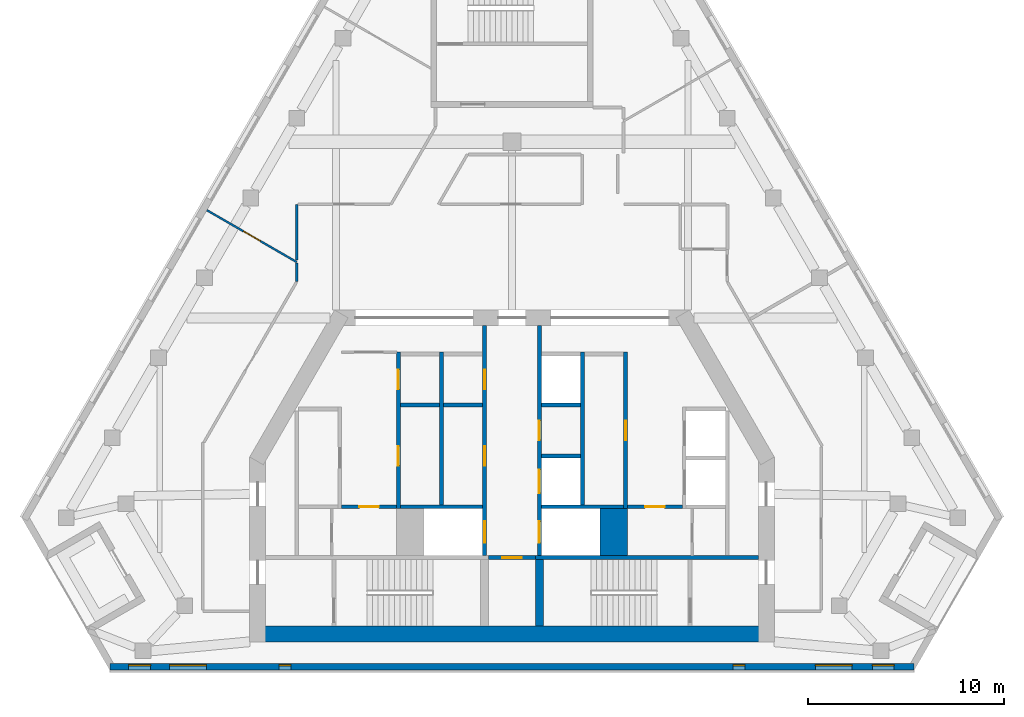
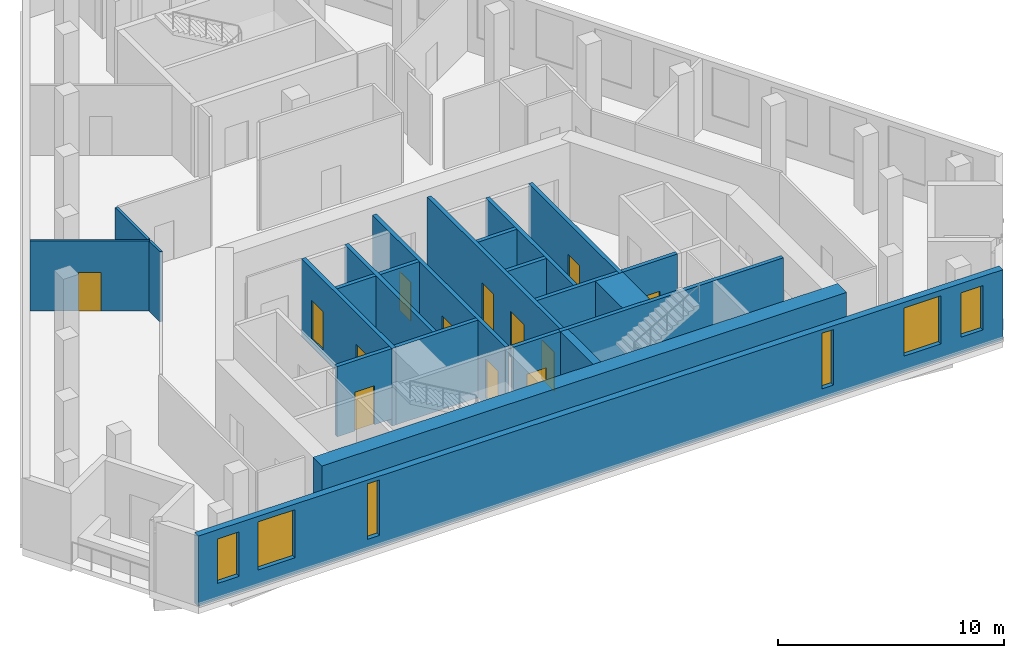
# One storey, part 3 of 8: 23 walls, 13 doors, 6 windows, 19 openings.
"""IFC4 building model written with IfcOpenShell, lengths in metres."""

from ifc_helpers import new_model, si_unit, direction, frame, frame_2d, origin, place, context, subcontext, project, spatial, rectangle, extrude, material, layer, layer_set, type_object, element, fill, save


model = new_model("IFC4")

# Units and contexts
model_context = context("Model", 3, precision=1e-05, world=origin(), true_north=direction((0.0, 1.0)))
body_context = subcontext(model_context, "Body", "Model", "MODEL_VIEW")
ifc_project = project(units=[si_unit("LENGTHUNIT", "METRE"), si_unit("AREAUNIT", "SQUARE_METRE"), si_unit("VOLUMEUNIT", "CUBIC_METRE"), si_unit("PLANEANGLEUNIT", "RADIAN"), si_unit("MASSUNIT", "GRAM", prefix="KILO")], contexts=[model_context])

# Site, building, storey
site_placement = place(None, origin())
site = spatial("IfcSite", under=ifc_project, at=site_placement, CompositionType="ELEMENT")
building_placement = place(site_placement, origin())
building = spatial("IfcBuilding", under=site, at=building_placement, Name="Fogline Exchange Tower", CompositionType="ELEMENT")
storey_placement = place(building_placement, frame((0.0, 0.0, 296.10009765625)))
storey = spatial("IfcBuildingStorey", under=building, at=storey_placement, Name="L67", CompositionType="ELEMENT", Elevation=296.10009765625)

# Walls
ifc_material_1 = material(Name="Concrete C60", Category="concrete")
ifc_layer_1 = layer(ifc_material_1, 1.39990234375)
ifc_layer_set_1 = layer_set([ifc_layer_1], Name="CW140")
wall_type_1 = type_object("IfcWallType", Name="CW140", PredefinedType="SOLIDWALL", material=ifc_layer_set_1)
wall_1_placement = place(storey_placement, frame((5.199951171875, 5.85009765625, -0.400146484375), z_axis=(0.0, 0.0, 1.0), x_axis=(0.0, 1.0, 0.0)))
element("IfcWall", 1, at=wall_1_placement, inside=storey, type_object=wall_type_1, Name="Lift shaft block wall", PredefinedType="SOLIDWALL", context=body_context, shape_type="SweptSolid", body=[
    extrude(rectangle(XDim=2.39990234375, YDim=1.39990234375, at=frame_2d((1.199951171875, 0.0))), origin(), (0.0, 0.0, 1.0), 4.199951171875),
])
ifc_material_2 = material(Name="Concrete C40", Category="concrete")
ifc_layer_2 = layer(ifc_material_2, 0.199951171875)
ifc_layer_set_2 = layer_set([ifc_layer_2], Name="CW20")
wall_type_2 = type_object("IfcWallType", Name="CW20", PredefinedType="SOLIDWALL", material=ifc_layer_set_2)
for number, where, z_axis, x_axis, name in (
    (2, (-5.699951171875, 13.550048828125, 0.0), (0.0, 0.0, 1.0), (1.0, 0.0, 0.0), "Service room wall"),
    (3, (-3.5, 13.550048828125, 0.0), (0.0, 0.0, 1.0), (1.0, 0.0, 0.0), "Service room wall"),
):
    element("IfcWall", number, at=place(storey_placement, frame(where, z_axis=z_axis, x_axis=x_axis)), inside=storey, type_object=wall_type_2, Name=name, PredefinedType="SOLIDWALL", context=body_context, shape_type="SweptSolid", body=[
        extrude(rectangle(XDim=2.0, YDim=0.199951171875, at=frame_2d((1.0, 0.0))), origin(), (0.0, 0.0, 1.0), 3.7998046875),
    ])

# Wall, opening, door
wall_2_placement = place(storey_placement, frame((-8.699951171875, 8.35009765625, 0.0), z_axis=(0.0, 0.0, 1.0), x_axis=(1.0, 0.0, 0.0)))
wall_2 = element("IfcWall", 4, at=wall_2_placement, inside=storey, type_object=wall_type_2, Name="WC wall", PredefinedType="SOLIDWALL", context=body_context, shape_type="SweptSolid", body=[
    extrude(rectangle(XDim=2.800048828125, YDim=0.199951171875, at=frame_2d((1.39990234375, 0.0))), origin(), (0.0, 0.0, 1.0), 3.7998046875),
])
opening_1_placement = place(wall_2_placement, frame((0.89990234375, 0.0, 0.0)))
opening_1 = element("IfcOpeningElement", 5, at=opening_1_placement, cuts=wall_2, Name="Opening T21-C010", PredefinedType="OPENING", context=body_context, shape_type="SweptSolid", body=[
    extrude(rectangle(XDim=1.0, YDim=2.10009765625, at=frame_2d((0.5, 1.050048828125))), frame((0.0, 0.10986328125, 0.0), z_axis=(0.0, -1.0, 0.0), x_axis=(1.0, 0.0, 0.0)), (0.0, 0.0, 1.0), 0.219970703125),
])
ifc_material_3 = material(Name="Steel and timber fire door", Category="steel")
door_type_1 = type_object("IfcDoorType", Name="D-WC1", OperationType="SINGLE_SWING_LEFT", PredefinedType="DOOR", material=ifc_material_3)
door_1_placement = place(opening_1_placement, frame((1.0, 0.0, 0.0), z_axis=(0.0, 0.0, 1.0), x_axis=(-1.0, 0.0, 0.0)))
door_1 = element("IfcDoor", 6, at=door_1_placement, inside=storey, type_object=door_type_1, Name="Door to Men's WC", OperationType="SINGLE_SWING_LEFT", OverallHeight=2.10009765625, OverallWidth=1.0, PredefinedType="DOOR", context=body_context, shape_type="SweptSolid", body=[
    extrude(rectangle(XDim=1.0, YDim=2.10009765625, at=frame_2d((0.5, 1.050048828125))), frame((0.0, 0.02490234375, 0.0), z_axis=(0.0, -1.0, 0.0), x_axis=(1.0, 0.0, 0.0)), (0.0, 0.0, 1.0), 0.050048828125),
])
fill(opening_1, door_1)

wall_3_placement = place(storey_placement, frame((5.89990234375, 8.35009765625, 0.0), z_axis=(0.0, 0.0, 1.0), x_axis=(1.0, 0.0, 0.0)))
wall_3 = element("IfcWall", 7, at=wall_3_placement, inside=storey, type_object=wall_type_2, Name="WC wall", PredefinedType="SOLIDWALL", context=body_context, shape_type="SweptSolid", body=[
    extrude(rectangle(XDim=2.800048828125, YDim=0.199951171875, at=frame_2d((1.39990234375, 0.0))), origin(), (0.0, 0.0, 1.0), 3.7998046875),
])
opening_2_placement = place(wall_3_placement, frame((0.89990234375, 0.0, 0.0)))
opening_2 = element("IfcOpeningElement", 8, at=opening_2_placement, cuts=wall_3, Name="Opening T21-C015", PredefinedType="OPENING", context=body_context, shape_type="SweptSolid", body=[
    extrude(rectangle(XDim=1.0, YDim=2.10009765625, at=frame_2d((0.5, 1.050048828125))), frame((0.0, 0.10986328125, 0.0), z_axis=(0.0, -1.0, 0.0), x_axis=(1.0, 0.0, 0.0)), (0.0, 0.0, 1.0), 0.219970703125),
])
door_2_placement = place(opening_2_placement, frame((1.0, 0.0, 0.0), z_axis=(0.0, 0.0, 1.0), x_axis=(-1.0, 0.0, 0.0)))
door_2 = element("IfcDoor", 9, at=door_2_placement, inside=storey, type_object=door_type_1, Name="Door to Women's WC", OperationType="SINGLE_SWING_LEFT", OverallHeight=2.10009765625, OverallWidth=1.0, PredefinedType="DOOR", context=body_context, shape_type="SweptSolid", body=[
    extrude(rectangle(XDim=1.0, YDim=2.10009765625, at=frame_2d((0.5, 1.050048828125))), frame((0.0, 0.02490234375, 0.0), z_axis=(0.0, -1.0, 0.0), x_axis=(1.0, 0.0, 0.0)), (0.0, 0.0, 1.0), 0.050048828125),
])
fill(opening_2, door_2)

ifc_layer_3 = layer(ifc_material_2, 0.199951171875)
ifc_layer_set_3 = layer_set([ifc_layer_3], Name="CW20R")
wall_type_3 = type_object("IfcWallType", Name="CW20R", PredefinedType="SOLIDWALL", material=ifc_layer_set_3)
wall_4_placement = place(storey_placement, frame((-1.199951171875, 5.75, -0.400146484375), z_axis=(0.0, 0.0, 1.0), x_axis=(1.0, 0.0, 0.0)))
wall_4 = element("IfcWall", 10, at=wall_4_placement, inside=storey, type_object=wall_type_3, Name="Stair enclosure wall", PredefinedType="SOLIDWALL", context=body_context, shape_type="SweptSolid", body=[
    extrude(rectangle(XDim=2.39990234375, YDim=0.199951171875, at=frame_2d((1.199951171875, 0.0))), origin(), (0.0, 0.0, 1.0), 4.199951171875),
])
opening_3_placement = place(wall_4_placement, frame((0.699951171875, 0.0, 0.39990234375)))
opening_3 = element("IfcOpeningElement", 11, at=opening_3_placement, cuts=wall_4, Name="Opening T21-C008", PredefinedType="OPENING", context=body_context, shape_type="SweptSolid", body=[
    extrude(rectangle(XDim=1.0, YDim=2.10009765625, at=frame_2d((0.5, 1.050048828125))), frame((0.0, 0.10986328125, 0.0), z_axis=(0.0, -1.0, 0.0), x_axis=(1.0, 0.0, 0.0)), (0.0, 0.0, 1.0), 0.219970703125),
])
door_type_2 = type_object("IfcDoorType", Name="D-RM1", OperationType="SINGLE_SWING_LEFT", PredefinedType="DOOR", material=ifc_material_3)
door_3_placement = place(opening_3_placement, frame((1.0, 0.0, 0.0), z_axis=(0.0, 0.0, 1.0), x_axis=(-1.0, 0.0, 0.0)))
door_3 = element("IfcDoor", 12, at=door_3_placement, inside=storey, type_object=door_type_2, Name="Door to Stationery Store", OperationType="SINGLE_SWING_RIGHT", OverallHeight=2.10009765625, OverallWidth=1.0, PredefinedType="DOOR", context=body_context, shape_type="SweptSolid", body=[
    extrude(rectangle(XDim=1.0, YDim=2.10009765625, at=frame_2d((0.5, 1.050048828125))), frame((0.0, 0.02490234375, 0.0), z_axis=(0.0, -1.0, 0.0), x_axis=(1.0, 0.0, 0.0)), (0.0, 0.0, 1.0), 0.050048828125),
])
fill(opening_3, door_3)

# Wall
wall_5_placement = place(storey_placement, frame((1.199951171875, 5.75, -0.400146484375), z_axis=(0.0, 0.0, 1.0), x_axis=(1.0, 0.0, 0.0)))
element("IfcWall", 13, at=wall_5_placement, inside=storey, type_object=wall_type_3, Name="Stair enclosure wall", PredefinedType="SOLIDWALL", context=body_context, shape_type="SweptSolid", body=[
    extrude(rectangle(XDim=11.400146484375, YDim=0.199951171875, at=frame_2d((5.7001953125, 0.0))), origin(), (0.0, 0.0, 1.0), 4.199951171875),
])

# Wall, openings, doors
ifc_layer_4 = layer(ifc_material_2, 0.199951171875)
ifc_layer_set_4 = layer_set([ifc_layer_4], Name="CW20S")
wall_type_4 = type_object("IfcWallType", Name="CW20S", PredefinedType="SOLIDWALL", material=ifc_layer_set_4)
wall_6_placement = place(storey_placement, frame((-5.800048828125, 8.25, -0.400146484375), z_axis=(0.0, 0.0, 1.0), x_axis=(0.0, 1.0, 0.0)))
wall_6 = element("IfcWall", 14, at=wall_6_placement, inside=storey, type_object=wall_type_4, Name="Lift shaft wall", PredefinedType="SOLIDWALL", context=body_context, shape_type="SweptSolid", body=[
    extrude(rectangle(XDim=8.0, YDim=0.199951171875, at=frame_2d((4.0, 0.0))), origin(), (0.0, 0.0, 1.0), 4.199951171875),
])
opening_4_placement = place(wall_6_placement, frame((2.199951171875, 0.0, 0.39990234375)))
opening_4 = element("IfcOpeningElement", 15, at=opening_4_placement, cuts=wall_6, Name="Opening T21-C002", PredefinedType="OPENING", context=body_context, shape_type="SweptSolid", body=[
    extrude(rectangle(XDim=1.0, YDim=2.10009765625, at=frame_2d((0.5, 1.050048828125))), frame((0.0, 0.10986328125, 0.0), z_axis=(0.0, -1.0, 0.0), x_axis=(1.0, 0.0, 0.0)), (0.0, 0.0, 1.0), 0.219970703125),
])
opening_5_placement = place(wall_6_placement, frame((6.10009765625, 0.0, 0.39990234375)))
opening_5 = element("IfcOpeningElement", 16, at=opening_5_placement, cuts=wall_6, Name="Opening T21-C003", PredefinedType="OPENING", context=body_context, shape_type="SweptSolid", body=[
    extrude(rectangle(XDim=1.0, YDim=2.10009765625, at=frame_2d((0.5, 1.050048828125))), frame((0.0, 0.10986328125, 0.0), z_axis=(0.0, -1.0, 0.0), x_axis=(1.0, 0.0, 0.0)), (0.0, 0.0, 1.0), 0.219970703125),
])
door_4_placement = place(opening_4_placement, frame((1.0, 0.0, 0.0), z_axis=(0.0, 0.0, 1.0), x_axis=(-1.0, 0.0, 0.0)))
door_4 = element("IfcDoor", 17, at=door_4_placement, inside=storey, type_object=door_type_2, Name="Door to Equipment Room", OperationType="SINGLE_SWING_LEFT", OverallHeight=2.10009765625, OverallWidth=1.0, PredefinedType="DOOR", context=body_context, shape_type="SweptSolid", body=[
    extrude(rectangle(XDim=1.0, YDim=2.10009765625, at=frame_2d((0.5, 1.050048828125))), frame((0.0, 0.02490234375, 0.0), z_axis=(0.0, -1.0, 0.0), x_axis=(1.0, 0.0, 0.0)), (0.0, 0.0, 1.0), 0.050048828125),
])
fill(opening_4, door_4)
door_5_placement = place(opening_5_placement, frame((1.0, 0.0, 0.0), z_axis=(0.0, 0.0, 1.0), x_axis=(-1.0, 0.0, 0.0)))
door_5 = element("IfcDoor", 18, at=door_5_placement, inside=storey, type_object=door_type_2, Name="Door to Server Room", OperationType="SINGLE_SWING_RIGHT", OverallHeight=2.10009765625, OverallWidth=1.0, PredefinedType="DOOR", context=body_context, shape_type="SweptSolid", body=[
    extrude(rectangle(XDim=1.0, YDim=2.10009765625, at=frame_2d((0.5, 1.050048828125))), frame((0.0, 0.02490234375, 0.0), z_axis=(0.0, -1.0, 0.0), x_axis=(1.0, 0.0, 0.0)), (0.0, 0.0, 1.0), 0.050048828125),
])
fill(opening_5, door_5)

# Wall, opening, door
wall_7_placement = place(storey_placement, frame((5.800048828125, 8.25, -0.400146484375), z_axis=(0.0, 0.0, 1.0), x_axis=(0.0, 1.0, 0.0)))
wall_7 = element("IfcWall", 19, at=wall_7_placement, inside=storey, type_object=wall_type_4, Name="Lift shaft wall", PredefinedType="SOLIDWALL", context=body_context, shape_type="SweptSolid", body=[
    extrude(rectangle(XDim=8.0, YDim=0.199951171875, at=frame_2d((4.0, 0.0))), origin(), (0.0, 0.0, 1.0), 4.199951171875),
])
opening_6_placement = place(wall_7_placement, frame((3.5, 0.0, 0.39990234375)))
opening_6 = element("IfcOpeningElement", 20, at=opening_6_placement, cuts=wall_7, Name="Opening T21-C006", PredefinedType="OPENING", context=body_context, shape_type="SweptSolid", body=[
    extrude(rectangle(XDim=1.0, YDim=2.10009765625, at=frame_2d((0.5, 1.050048828125))), frame((0.0, 0.10986328125, 0.0), z_axis=(0.0, -1.0, 0.0), x_axis=(1.0, 0.0, 0.0)), (0.0, 0.0, 1.0), 0.219970703125),
])
door_6_placement = place(opening_6_placement, origin())
door_6 = element("IfcDoor", 21, at=door_6_placement, inside=storey, type_object=door_type_2, Name="Door to Trading Desk Annexe", OperationType="SINGLE_SWING_LEFT", OverallHeight=2.10009765625, OverallWidth=1.0, PredefinedType="DOOR", context=body_context, shape_type="SweptSolid", body=[
    extrude(rectangle(XDim=1.0, YDim=2.10009765625, at=frame_2d((0.5, 1.050048828125))), frame((0.0, 0.02490234375, 0.0), z_axis=(0.0, -1.0, 0.0), x_axis=(1.0, 0.0, 0.0)), (0.0, 0.0, 1.0), 0.050048828125),
])
fill(opening_6, door_6)

# Walls
for number, where, z_axis, x_axis, name in (
    (22, (-3.60009765625, 8.449951171875, -0.400146484375), (0.0, 0.0, 1.0), (0.0, 1.0, 0.0), "Lift shaft wall"),
    (23, (3.60009765625, 8.449951171875, -0.400146484375), (0.0, 0.0, 1.0), (0.0, 1.0, 0.0), "Lift shaft wall"),
):
    element("IfcWall", number, at=place(storey_placement, frame(where, z_axis=z_axis, x_axis=x_axis)), inside=storey, type_object=wall_type_4, Name=name, PredefinedType="SOLIDWALL", context=body_context, shape_type="SweptSolid", body=[
        extrude(rectangle(XDim=7.800048828125, YDim=0.199951171875, at=frame_2d((3.89990234375, 0.0))), origin(), (0.0, 0.0, 1.0), 4.199951171875),
    ])

# Wall, openings, doors
wall_8_placement = place(storey_placement, frame((-1.39990234375, 5.85009765625, -0.400146484375), z_axis=(0.0, 0.0, 1.0), x_axis=(0.0, 1.0, 0.0)))
wall_8 = element("IfcWall", 24, at=wall_8_placement, inside=storey, type_object=wall_type_4, Name="Lift lobby wall", PredefinedType="SOLIDWALL", context=body_context, shape_type="SweptSolid", body=[
    extrude(rectangle(XDim=11.75, YDim=0.199951171875, at=frame_2d((5.875, 0.0))), origin(), (0.0, 0.0, 1.0), 4.199951171875),
])
opening_7_placement = place(wall_8_placement, frame((0.64990234375, 0.0, 0.39990234375)))
opening_7 = element("IfcOpeningElement", 25, at=opening_7_placement, cuts=wall_8, Name="Opening T21-LD01", PredefinedType="OPENING", context=body_context, shape_type="SweptSolid", body=[
    extrude(rectangle(XDim=1.10009765625, YDim=2.10009765625, at=frame_2d((0.550048828125, 1.050048828125))), frame((0.0, 0.10986328125, 0.0), z_axis=(0.0, -1.0, 0.0), x_axis=(1.0, 0.0, 0.0)), (0.0, 0.0, 1.0), 0.219970703125),
])
opening_8_placement = place(wall_8_placement, frame((4.60009765625, 0.0, 0.39990234375)))
opening_8 = element("IfcOpeningElement", 26, at=opening_8_placement, cuts=wall_8, Name="Opening T21-C004", PredefinedType="OPENING", context=body_context, shape_type="SweptSolid", body=[
    extrude(rectangle(XDim=1.0, YDim=2.10009765625, at=frame_2d((0.5, 1.050048828125))), frame((0.0, 0.10986328125, 0.0), z_axis=(0.0, -1.0, 0.0), x_axis=(1.0, 0.0, 0.0)), (0.0, 0.0, 1.0), 0.219970703125),
])
opening_9_placement = place(wall_8_placement, frame((8.5, 0.0, 0.39990234375)))
opening_9 = element("IfcOpeningElement", 27, at=opening_9_placement, cuts=wall_8, Name="Opening T21-C005", PredefinedType="OPENING", context=body_context, shape_type="SweptSolid", body=[
    extrude(rectangle(XDim=1.0, YDim=2.10009765625, at=frame_2d((0.5, 1.050048828125))), frame((0.0, 0.10986328125, 0.0), z_axis=(0.0, -1.0, 0.0), x_axis=(1.0, 0.0, 0.0)), (0.0, 0.0, 1.0), 0.219970703125),
])
door_7_placement = place(opening_8_placement, origin())
door_7 = element("IfcDoor", 28, at=door_7_placement, inside=storey, type_object=door_type_2, Name="Door to Library Store", OperationType="SINGLE_SWING_LEFT", OverallHeight=2.10009765625, OverallWidth=1.0, PredefinedType="DOOR", context=body_context, shape_type="SweptSolid", body=[
    extrude(rectangle(XDim=1.0, YDim=2.10009765625, at=frame_2d((0.5, 1.050048828125))), frame((0.0, 0.02490234375, 0.0), z_axis=(0.0, -1.0, 0.0), x_axis=(1.0, 0.0, 0.0)), (0.0, 0.0, 1.0), 0.050048828125),
])
fill(opening_8, door_7)
door_8_placement = place(opening_9_placement, origin())
door_8 = element("IfcDoor", 29, at=door_8_placement, inside=storey, type_object=door_type_2, Name="Door to Library Store", OperationType="SINGLE_SWING_LEFT", OverallHeight=2.10009765625, OverallWidth=1.0, PredefinedType="DOOR", context=body_context, shape_type="SweptSolid", body=[
    extrude(rectangle(XDim=1.0, YDim=2.10009765625, at=frame_2d((0.5, 1.050048828125))), frame((0.0, 0.02490234375, 0.0), z_axis=(0.0, -1.0, 0.0), x_axis=(1.0, 0.0, 0.0)), (0.0, 0.0, 1.0), 0.050048828125),
])
fill(opening_9, door_8)
door_type_3 = type_object("IfcDoorType", Name="LD2", OperationType="SLIDING_TO_RIGHT", PredefinedType="DOOR", material=ifc_material_3)
door_9_placement = place(opening_7_placement, origin())
door_9 = element("IfcDoor", 30, at=door_9_placement, inside=storey, type_object=door_type_3, Name="Landing door FF1", OperationType="SLIDING_TO_RIGHT", OverallHeight=2.10009765625, OverallWidth=1.10009765625, PredefinedType="DOOR", context=body_context, shape_type="SweptSolid", body=[
    extrude(rectangle(XDim=1.10009765625, YDim=2.10009765625, at=frame_2d((0.550048828125, 1.050048828125))), frame((0.0, 0.02490234375, 0.0), z_axis=(0.0, -1.0, 0.0), x_axis=(1.0, 0.0, 0.0)), (0.0, 0.0, 1.0), 0.050048828125),
])
fill(opening_7, door_9)

wall_9_placement = place(storey_placement, frame((1.39990234375, 5.85009765625, -0.400146484375), z_axis=(0.0, 0.0, 1.0), x_axis=(0.0, 1.0, 0.0)))
wall_9 = element("IfcWall", 31, at=wall_9_placement, inside=storey, type_object=wall_type_4, Name="Lift lobby wall", PredefinedType="SOLIDWALL", context=body_context, shape_type="SweptSolid", body=[
    extrude(rectangle(XDim=11.75, YDim=0.199951171875, at=frame_2d((5.875, 0.0))), origin(), (0.0, 0.0, 1.0), 4.199951171875),
])
opening_10_placement = place(wall_9_placement, frame((3.199951171875, 0.0, 0.39990234375)))
opening_10 = element("IfcOpeningElement", 32, at=opening_10_placement, cuts=wall_9, Name="Opening T21-LD04", PredefinedType="OPENING", context=body_context, shape_type="SweptSolid", body=[
    extrude(rectangle(XDim=1.199951171875, YDim=2.10009765625, at=frame_2d((0.60009765625, 1.050048828125))), frame((0.0, 0.10986328125, 0.0), z_axis=(0.0, -1.0, 0.0), x_axis=(1.0, 0.0, 0.0)), (0.0, 0.0, 1.0), 0.219970703125),
])
opening_11_placement = place(wall_9_placement, frame((0.64990234375, 0.0, 0.39990234375)))
opening_11 = element("IfcOpeningElement", 33, at=opening_11_placement, cuts=wall_9, Name="Opening T21-LD05", PredefinedType="OPENING", context=body_context, shape_type="SweptSolid", body=[
    extrude(rectangle(XDim=1.10009765625, YDim=2.10009765625, at=frame_2d((0.550048828125, 1.050048828125))), frame((0.0, 0.10986328125, 0.0), z_axis=(0.0, -1.0, 0.0), x_axis=(1.0, 0.0, 0.0)), (0.0, 0.0, 1.0), 0.219970703125),
])
opening_12_placement = place(wall_9_placement, frame((5.89990234375, 0.0, 0.39990234375)))
opening_12 = element("IfcOpeningElement", 34, at=opening_12_placement, cuts=wall_9, Name="Opening T21-C007", PredefinedType="OPENING", context=body_context, shape_type="SweptSolid", body=[
    extrude(rectangle(XDim=1.0, YDim=2.10009765625, at=frame_2d((0.5, 1.050048828125))), frame((0.0, 0.10986328125, 0.0), z_axis=(0.0, -1.0, 0.0), x_axis=(1.0, 0.0, 0.0)), (0.0, 0.0, 1.0), 0.219970703125),
])
door_10_placement = place(opening_12_placement, frame((1.0, 0.0, 0.0), z_axis=(0.0, 0.0, 1.0), x_axis=(-1.0, 0.0, 0.0)))
door_10 = element("IfcDoor", 35, at=door_10_placement, inside=storey, type_object=door_type_2, Name="Door to Cable Store", OperationType="SINGLE_SWING_RIGHT", OverallHeight=2.10009765625, OverallWidth=1.0, PredefinedType="DOOR", context=body_context, shape_type="SweptSolid", body=[
    extrude(rectangle(XDim=1.0, YDim=2.10009765625, at=frame_2d((0.5, 1.050048828125))), frame((0.0, 0.02490234375, 0.0), z_axis=(0.0, -1.0, 0.0), x_axis=(1.0, 0.0, 0.0)), (0.0, 0.0, 1.0), 0.050048828125),
])
fill(opening_12, door_10)
door_type_4 = type_object("IfcDoorType", Name="LD1", OperationType="SLIDING_TO_LEFT", PredefinedType="DOOR", material=ifc_material_3)
door_11_placement = place(opening_10_placement, origin())
door_11 = element("IfcDoor", 36, at=door_11_placement, inside=storey, type_object=door_type_4, Name="Landing door HR3", OperationType="SLIDING_TO_LEFT", OverallHeight=2.10009765625, OverallWidth=1.199951171875, PredefinedType="DOOR", context=body_context, shape_type="SweptSolid", body=[
    extrude(rectangle(XDim=1.199951171875, YDim=2.10009765625, at=frame_2d((0.60009765625, 1.050048828125))), frame((0.0, 0.02490234375, 0.0), z_axis=(0.0, -1.0, 0.0), x_axis=(1.0, 0.0, 0.0)), (0.0, 0.0, 1.0), 0.050048828125),
])
fill(opening_10, door_11)
door_12_placement = place(opening_11_placement, origin())
door_12 = element("IfcDoor", 37, at=door_12_placement, inside=storey, type_object=door_type_3, Name="Landing door FF2", OperationType="SLIDING_TO_RIGHT", OverallHeight=2.10009765625, OverallWidth=1.10009765625, PredefinedType="DOOR", context=body_context, shape_type="SweptSolid", body=[
    extrude(rectangle(XDim=1.10009765625, YDim=2.10009765625, at=frame_2d((0.550048828125, 1.050048828125))), frame((0.0, 0.02490234375, 0.0), z_axis=(0.0, -1.0, 0.0), x_axis=(1.0, 0.0, 0.0)), (0.0, 0.0, 1.0), 0.050048828125),
])
fill(opening_11, door_12)

# Walls
for number, where, z_axis, x_axis, name in (
    (38, (-5.699951171875, 8.35009765625, -0.400146484375), (0.0, 0.0, 1.0), (1.0, 0.0, 0.0), "Lift shaft wall"),
    (39, (1.5, 8.35009765625, -0.400146484375), (0.0, 0.0, 1.0), (1.0, 0.0, 0.0), "Lift shaft wall"),
):
    element("IfcWall", number, at=place(storey_placement, frame(where, z_axis=z_axis, x_axis=x_axis)), inside=storey, type_object=wall_type_4, Name=name, PredefinedType="SOLIDWALL", context=body_context, shape_type="SweptSolid", body=[
        extrude(rectangle(XDim=4.199951171875, YDim=0.199951171875, at=frame_2d((2.10009765625, 0.0))), origin(), (0.0, 0.0, 1.0), 4.199951171875),
    ])
for number, where, z_axis, x_axis, name in (
    (40, (1.5, 10.949951171875, -0.400146484375), (0.0, 0.0, 1.0), (1.0, 0.0, 0.0), "Lift shaft wall"),
    (41, (1.5, 13.550048828125, -0.400146484375), (0.0, 0.0, 1.0), (1.0, 0.0, 0.0), "Lift shaft wall"),
):
    element("IfcWall", number, at=place(storey_placement, frame(where, z_axis=z_axis, x_axis=x_axis)), inside=storey, type_object=wall_type_4, Name=name, PredefinedType="SOLIDWALL", context=body_context, shape_type="SweptSolid", body=[
        extrude(rectangle(XDim=2.0, YDim=0.199951171875, at=frame_2d((1.0, 0.0))), origin(), (0.0, 0.0, 1.0), 4.199951171875),
    ])
ifc_layer_5 = layer(ifc_material_2, 0.39990234375)
ifc_layer_set_5 = layer_set([ifc_layer_5], Name="CW40R")
wall_type_5 = type_object("IfcWallType", Name="CW40R", PredefinedType="SOLIDWALL", material=ifc_layer_set_5)
wall_10_placement = place(storey_placement, frame((1.39990234375, 2.25, -0.400146484375), z_axis=(0.0, 0.0, 1.0), x_axis=(0.0, 1.0, 0.0)))
element("IfcWall", 42, at=wall_10_placement, inside=storey, type_object=wall_type_5, Name="Stair and lift shaft wall", PredefinedType="SOLIDWALL", context=body_context, shape_type="SweptSolid", body=[
    extrude(rectangle(XDim=3.39990234375, YDim=0.39990234375, at=frame_2d((1.699951171875, 0.0))), origin(), (0.0, 0.0, 1.0), 4.199951171875),
])

# Wall, openings, windows
ifc_material_4 = material(Name="Brick masonry", Category="masonry")
ifc_layer_6 = layer(ifc_material_4, 0.340087890625)
ifc_layer_set_6 = layer_set([ifc_layer_6], Name="FW1")
wall_type_6 = type_object("IfcWallType", Name="FW1", PredefinedType="SOLIDWALL", material=ifc_layer_set_6)
wall_11_placement = place(storey_placement, frame((-20.55224609375, 0.169921875, 0.0), z_axis=(0.0, 0.0, 1.0), x_axis=(1.0, 0.0, 0.0)))
wall_11 = element("IfcWall", 43, at=wall_11_placement, inside=storey, type_object=wall_type_6, Name="Brick wall L67 S", PredefinedType="SOLIDWALL", context=body_context, shape_type="SweptSolid", body=[
    extrude(rectangle(XDim=41.1044921875, YDim=0.340087890625, at=frame_2d((20.55224609375, 0.0))), origin(), (0.0, 0.0, 1.0), 3.7998046875),
])
opening_13_placement = place(wall_11_placement, frame((3.05224609375, 0.0, 0.89990234375)))
opening_13 = element("IfcOpeningElement", 44, at=opening_13_placement, cuts=wall_11, Name="Opening W3", PredefinedType="OPENING", context=body_context, shape_type="SweptSolid", body=[
    extrude(rectangle(XDim=1.885009765625, YDim=2.60009765625, at=frame_2d((0.9423828125, 1.300048828125))), frame((0.0, 0.18017578125, 0.0), z_axis=(0.0, -1.0, 0.0), x_axis=(1.0, 0.0, 0.0)), (0.0, 0.0, 1.0), 0.360107421875),
])
opening_14_placement = place(wall_11_placement, frame((36.05224609375, 0.0, 0.89990234375)))
opening_14 = element("IfcOpeningElement", 45, at=opening_14_placement, cuts=wall_11, Name="Opening W3", PredefinedType="OPENING", context=body_context, shape_type="SweptSolid", body=[
    extrude(rectangle(XDim=1.885009765625, YDim=2.60009765625, at=frame_2d((0.9423828125, 1.300048828125))), frame((0.0, 0.18017578125, 0.0), z_axis=(0.0, -1.0, 0.0), x_axis=(1.0, 0.0, 0.0)), (0.0, 0.0, 1.0), 0.360107421875),
])
opening_15_placement = place(wall_11_placement, frame((0.968505859375, 0.0, 0.89990234375)))
opening_15 = element("IfcOpeningElement", 46, at=opening_15_placement, cuts=wall_11, Name="Opening W4", PredefinedType="OPENING", context=body_context, shape_type="SweptSolid", body=[
    extrude(rectangle(XDim=1.114990234375, YDim=2.39990234375, at=frame_2d((0.5576171875, 1.199951171875))), frame((0.0, 0.18017578125, 0.0), z_axis=(0.0, -1.0, 0.0), x_axis=(1.0, 0.0, 0.0)), (0.0, 0.0, 1.0), 0.360107421875),
])
opening_16_placement = place(wall_11_placement, frame((38.96337890625, 0.0, 0.89990234375)))
opening_16 = element("IfcOpeningElement", 47, at=opening_16_placement, cuts=wall_11, Name="Opening W4", PredefinedType="OPENING", context=body_context, shape_type="SweptSolid", body=[
    extrude(rectangle(XDim=1.114990234375, YDim=2.39990234375, at=frame_2d((0.5576171875, 1.199951171875))), frame((0.0, 0.18017578125, 0.0), z_axis=(0.0, -1.0, 0.0), x_axis=(1.0, 0.0, 0.0)), (0.0, 0.0, 1.0), 0.360107421875),
])
opening_17_placement = place(wall_11_placement, frame((8.652099609375, 0.0, 0.60009765625)))
opening_17 = element("IfcOpeningElement", 48, at=opening_17_placement, cuts=wall_11, Name="Opening W5", PredefinedType="OPENING", context=body_context, shape_type="SweptSolid", body=[
    extrude(rectangle(XDim=0.60009765625, YDim=3.0, at=frame_2d((0.300048828125, 1.5))), frame((0.0, 0.18017578125, 0.0), z_axis=(0.0, -1.0, 0.0), x_axis=(1.0, 0.0, 0.0)), (0.0, 0.0, 1.0), 0.360107421875),
])
opening_18_placement = place(wall_11_placement, frame((31.852294921875, 0.0, 0.60009765625)))
opening_18 = element("IfcOpeningElement", 49, at=opening_18_placement, cuts=wall_11, Name="Opening W5", PredefinedType="OPENING", context=body_context, shape_type="SweptSolid", body=[
    extrude(rectangle(XDim=0.60009765625, YDim=3.0, at=frame_2d((0.300048828125, 1.5))), frame((0.0, 0.18017578125, 0.0), z_axis=(0.0, -1.0, 0.0), x_axis=(1.0, 0.0, 0.0)), (0.0, 0.0, 1.0), 0.360107421875),
])
ifc_material_5 = material(Name="Aluminium and glass", Category="aluminium")
window_type_1 = type_object("IfcWindowType", Name="W3", PartitioningType="SINGLE_PANEL", PredefinedType="WINDOW", material=ifc_material_5)
window_1_placement = place(opening_13_placement, origin())
window_1 = element("IfcWindow", 50, at=window_1_placement, inside=storey, type_object=window_type_1, Name="W3 W3", OverallHeight=2.60009765625, OverallWidth=1.885009765625, PartitioningType="SINGLE_PANEL", PredefinedType="WINDOW", context=body_context, shape_type="SweptSolid", body=[
    extrude(rectangle(XDim=1.885009765625, YDim=2.60009765625, at=frame_2d((0.9423828125, 1.300048828125))), frame((0.0, 0.110107421875, 0.0), z_axis=(0.0, -1.0, 0.0), x_axis=(1.0, 0.0, 0.0)), (0.0, 0.0, 1.0), 0.06005859375),
])
fill(opening_13, window_1)
window_2_placement = place(opening_14_placement, origin())
window_2 = element("IfcWindow", 51, at=window_2_placement, inside=storey, type_object=window_type_1, Name="W3 W3", OverallHeight=2.60009765625, OverallWidth=1.885009765625, PartitioningType="SINGLE_PANEL", PredefinedType="WINDOW", context=body_context, shape_type="SweptSolid", body=[
    extrude(rectangle(XDim=1.885009765625, YDim=2.60009765625, at=frame_2d((0.9423828125, 1.300048828125))), frame((0.0, 0.110107421875, 0.0), z_axis=(0.0, -1.0, 0.0), x_axis=(1.0, 0.0, 0.0)), (0.0, 0.0, 1.0), 0.06005859375),
])
fill(opening_14, window_2)
window_type_2 = type_object("IfcWindowType", Name="W4", PartitioningType="SINGLE_PANEL", PredefinedType="WINDOW", material=ifc_material_5)
window_3_placement = place(opening_15_placement, origin())
window_3 = element("IfcWindow", 52, at=window_3_placement, inside=storey, type_object=window_type_2, Name="W4 W4", OverallHeight=2.39990234375, OverallWidth=1.114990234375, PartitioningType="SINGLE_PANEL", PredefinedType="WINDOW", context=body_context, shape_type="SweptSolid", body=[
    extrude(rectangle(XDim=1.114990234375, YDim=2.39990234375, at=frame_2d((0.5576171875, 1.199951171875))), frame((0.0, 0.110107421875, 0.0), z_axis=(0.0, -1.0, 0.0), x_axis=(1.0, 0.0, 0.0)), (0.0, 0.0, 1.0), 0.06005859375),
])
fill(opening_15, window_3)
window_4_placement = place(opening_16_placement, origin())
window_4 = element("IfcWindow", 53, at=window_4_placement, inside=storey, type_object=window_type_2, Name="W4 W4", OverallHeight=2.39990234375, OverallWidth=1.114990234375, PartitioningType="SINGLE_PANEL", PredefinedType="WINDOW", context=body_context, shape_type="SweptSolid", body=[
    extrude(rectangle(XDim=1.114990234375, YDim=2.39990234375, at=frame_2d((0.5576171875, 1.199951171875))), frame((0.0, 0.110107421875, 0.0), z_axis=(0.0, -1.0, 0.0), x_axis=(1.0, 0.0, 0.0)), (0.0, 0.0, 1.0), 0.06005859375),
])
fill(opening_16, window_4)
window_type_3 = type_object("IfcWindowType", Name="W5", PartitioningType="SINGLE_PANEL", PredefinedType="WINDOW", material=ifc_material_5)
window_5_placement = place(opening_17_placement, origin())
window_5 = element("IfcWindow", 54, at=window_5_placement, inside=storey, type_object=window_type_3, Name="W5 W5", OverallHeight=3.0, OverallWidth=0.60009765625, PartitioningType="SINGLE_PANEL", PredefinedType="WINDOW", context=body_context, shape_type="SweptSolid", body=[
    extrude(rectangle(XDim=0.60009765625, YDim=3.0, at=frame_2d((0.300048828125, 1.5))), frame((0.0, 0.110107421875, 0.0), z_axis=(0.0, -1.0, 0.0), x_axis=(1.0, 0.0, 0.0)), (0.0, 0.0, 1.0), 0.06005859375),
])
fill(opening_17, window_5)
window_6_placement = place(opening_18_placement, origin())
window_6 = element("IfcWindow", 55, at=window_6_placement, inside=storey, type_object=window_type_3, Name="W5 W5", OverallHeight=3.0, OverallWidth=0.60009765625, PartitioningType="SINGLE_PANEL", PredefinedType="WINDOW", context=body_context, shape_type="SweptSolid", body=[
    extrude(rectangle(XDim=0.60009765625, YDim=3.0, at=frame_2d((0.300048828125, 1.5))), frame((0.0, 0.110107421875, 0.0), z_axis=(0.0, -1.0, 0.0), x_axis=(1.0, 0.0, 0.0)), (0.0, 0.0, 1.0), 0.06005859375),
])
fill(opening_18, window_6)

# Wall, opening, door
ifc_material_6 = material(Name="Plasterboard partition, 2 layers each side on steel studs", Category="steel")
ifc_layer_7 = layer(ifc_material_6, 0.10009765625)
ifc_layer_set_7 = layer_set([ifc_layer_7], Name="PW1")
wall_type_7 = type_object("IfcWallType", Name="PW1", PredefinedType="PARTITIONING", material=ifc_layer_set_7)
wall_12_placement = place(storey_placement, frame((-11.0, 20.85107421875, 0.0), z_axis=(0.0, 0.0, 1.0), x_axis=(-0.866015321998, 0.50001746176, 0.0)))
wall_12 = element("IfcWall", 56, at=wall_12_placement, inside=storey, type_object=wall_type_7, Name="wall-L67-W033", PredefinedType="PARTITIONING", context=body_context, shape_type="SweptSolid", body=[
    extrude(rectangle(XDim=5.301025390625, YDim=0.10009765625, at=frame_2d((2.650390625, 0.0))), origin(), (0.0, 0.0, 1.0), 3.7998046875),
])
opening_19_placement = place(wall_12_placement, frame((2.150634765625, 0.0, 0.0)))
opening_19 = element("IfcOpeningElement", 57, at=opening_19_placement, cuts=wall_12, Name="Opening T21-D009", PredefinedType="OPENING", context=body_context, shape_type="SweptSolid", body=[
    extrude(rectangle(XDim=1.0, YDim=2.10009765625, at=frame_2d((0.5, 1.050048828125))), frame((0.0, 0.06005859375, 0.0), z_axis=(0.0, -1.0, 0.0), x_axis=(1.0, 0.0, 0.0)), (0.0, 0.0, 1.0), 0.1201171875),
])
ifc_material_7 = material(Name="Timber door leaf with steel frame", Category="steel")
door_type_5 = type_object("IfcDoorType", Name="D1", OperationType="SINGLE_SWING_LEFT", PredefinedType="DOOR", material=ifc_material_7)
door_13_placement = place(opening_19_placement, frame((1.0, 0.0, 0.0), z_axis=(0.0, 0.0, 1.0), x_axis=(-1.0, 0.0, 0.0)))
door_13 = element("IfcDoor", 58, at=door_13_placement, inside=storey, type_object=door_type_5, Name="door-L67-D009", OperationType="SINGLE_SWING_RIGHT", OverallHeight=2.10009765625, OverallWidth=1.0, PredefinedType="DOOR", context=body_context, shape_type="SweptSolid", body=[
    extrude(rectangle(XDim=1.0, YDim=2.10009765625, at=frame_2d((0.5, 1.050048828125))), frame((0.0, 0.02490234375, 0.0), z_axis=(0.0, -1.0, 0.0), x_axis=(1.0, 0.0, 0.0)), (0.0, 0.0, 1.0), 0.050048828125),
])
fill(opening_19, door_13)

# Walls
ifc_material_8 = material(Name="Plasterboard corridor partition with mineral wool, 2 layers each side")
ifc_layer_8 = layer(ifc_material_8, 0.125)
ifc_layer_set_8 = layer_set([ifc_layer_8], Name="PW2")
wall_type_8 = type_object("IfcWallType", Name="PW2", PredefinedType="PARTITIONING", material=ifc_layer_set_8)
wall_13_placement = place(storey_placement, frame((-11.0, 20.9453125, 0.0), z_axis=(0.0, 0.0, 1.0), x_axis=(0.0, 1.0, 0.0)))
element("IfcWall", 59, at=wall_13_placement, inside=storey, type_object=wall_type_8, Name="wall-L67-W010", PredefinedType="PARTITIONING", context=body_context, shape_type="SweptSolid", body=[
    extrude(rectangle(XDim=2.854736328125, YDim=0.125, at=frame_2d((1.42724609375, 0.0))), origin(), (0.0, 0.0, 1.0), 3.7998046875),
])
wall_14_placement = place(storey_placement, frame((-11.0, 19.8486328125, 0.0), z_axis=(0.0, 0.0, 1.0), x_axis=(0.0, 1.0, 0.0)))
element("IfcWall", 60, at=wall_14_placement, inside=storey, type_object=wall_type_8, Name="wall-L67-W012", PredefinedType="PARTITIONING", context=body_context, shape_type="SweptSolid", body=[
    extrude(rectangle(XDim=0.95849609375, YDim=0.125, at=frame_2d((0.479248046875, 0.0))), origin(), (0.0, 0.0, 1.0), 3.7998046875),
])
ifc_material_9 = material(Name="Concrete C50", Category="concrete")
ifc_layer_9 = layer(ifc_material_9, 0.800048828125)
ifc_layer_set_9 = layer_set([ifc_layer_9], Name="SW04")
wall_type_9 = type_object("IfcWallType", Name="SW04", PredefinedType="SHEAR", material=ifc_layer_set_9)
wall_15_placement = place(storey_placement, frame((-13.39990234375, 1.85009765625, 0.0), z_axis=(0.0, 0.0, 1.0), x_axis=(1.0, 0.0, 0.0)))
element("IfcWall", 61, at=wall_15_placement, inside=storey, type_object=wall_type_9, Name="L67-W901", PredefinedType="SHEAR", context=body_context, shape_type="SweptSolid", body=[
    extrude(rectangle(XDim=26.7998046875, YDim=0.800048828125, at=frame_2d((13.39990234375, 0.0))), origin(), (0.0, 0.0, 1.0), 4.199951171875),
])

save(model, "model.ifc")
